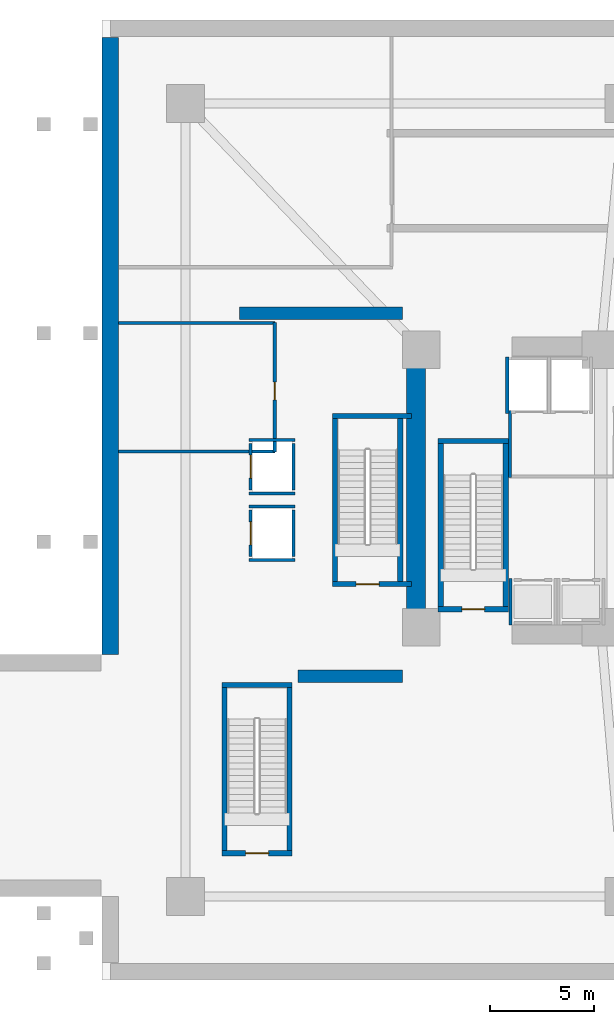
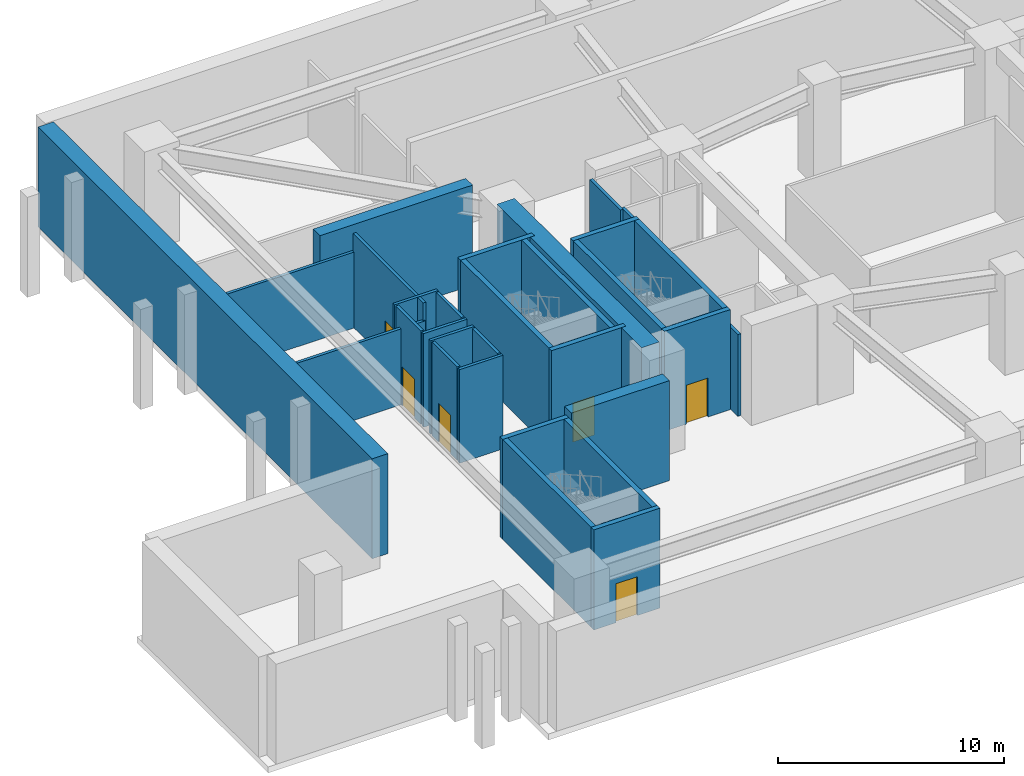
# One storey, part 2 of 9: 30 walls, 6 doors, 6 openings.
"""IFC4 building model written with IfcOpenShell, lengths in metres."""

from ifc_helpers import new_model, si_unit, direction, frame, frame_2d, origin, place, context, subcontext, project, spatial, rectangle, extrude, material, layer, layer_set, type_object, element, fill, save


model = new_model("IFC4")

# Units and contexts
model_context = context("Model", 3, precision=1e-05, world=origin(), true_north=direction((0.0, 1.0)))
body_context = subcontext(model_context, "Body", "Model", "MODEL_VIEW")
ifc_project = project(units=[si_unit("LENGTHUNIT", "METRE"), si_unit("AREAUNIT", "SQUARE_METRE"), si_unit("VOLUMEUNIT", "CUBIC_METRE"), si_unit("PLANEANGLEUNIT", "RADIAN"), si_unit("MASSUNIT", "GRAM", prefix="KILO")], contexts=[model_context])

# Site, building, storey
site_placement = place(None, origin())
site = spatial("IfcSite", under=ifc_project, at=site_placement, CompositionType="ELEMENT")
building_placement = place(site_placement, origin())
building = spatial("IfcBuilding", under=site, at=building_placement, Name="Solvane Sanctuary Tower", CompositionType="ELEMENT")
storey_placement = place(building_placement, frame((0.0, 0.0, -5.39990234375)))
storey = spatial("IfcBuildingStorey", under=building, at=storey_placement, Name="B01", CompositionType="ELEMENT", Elevation=-5.39990234375)

# Walls
ifc_material_1 = material(Name="Concrete C70/85", Category="concrete")
ifc_layer_1 = layer(ifc_material_1, 0.89990234375, Name="Concrete C70/85")
ifc_layer_set_1 = layer_set([ifc_layer_1], Name="Concrete C70/85")
wall_type_1 = type_object("IfcWallType", Name="Wall W-CORE-900", PredefinedType="SHEAR", material=ifc_layer_set_1)
wall_1_placement = place(storey_placement, frame((15.050048828125, 17.050048828125, 0.0), z_axis=(0.0, 0.0, 1.0), x_axis=(0.0, 1.0, 0.0)))
element("IfcWall", 1, at=wall_1_placement, inside=storey, type_object=wall_type_1, Name="B01 Core Shear Wall WC-W", PredefinedType="SHEAR", context=body_context, shape_type="SweptSolid", body=[
    extrude(rectangle(XDim=12.800048828125, YDim=0.89990234375, at=frame_2d((6.39990234375, 0.0))), origin(), (0.0, 0.0, 1.0), 5.39990234375),
])
ifc_material_2 = material(Name="Acoustic Gypsum Partition Board")
ifc_layer_2 = layer(ifc_material_2, 0.14990234375, Name="Acoustic Gypsum Partition Board")
ifc_layer_set_2 = layer_set([ifc_layer_2], Name="Acoustic Gypsum Partition Board")
wall_type_2 = type_object("IfcWallType", Name="Wall W-CORR-150", PredefinedType="PARTITIONING", material=ifc_layer_set_2)
wall_2_placement = place(storey_placement, frame((19.550048828125, 24.080078125, 0.0), z_axis=(0.0, 0.0, 1.0), x_axis=(0.0, 1.0, 0.0)))
element("IfcWall", 2, at=wall_2_placement, inside=storey, type_object=wall_type_2, Name="B01 West Firefighting Lobby West Wall", PredefinedType="PARTITIONING", context=body_context, shape_type="SweptSolid", body=[
    extrude(rectangle(XDim=3.199951171875, YDim=0.14990234375, at=frame_2d((1.60009765625, 0.0))), origin(), (0.0, 0.0, 1.0), 5.054931640625),
])

# Wall, opening, door
wall_3_placement = place(storey_placement, frame((8.280029296875, 25.300048828125, 0.0), z_axis=(0.0, 0.0, 1.0), x_axis=(0.0, 1.0, 0.0)))
wall_3 = element("IfcWall", 3, at=wall_3_placement, inside=storey, type_object=wall_type_2, Name="B01 Refuse Store East Wall", PredefinedType="PARTITIONING", context=body_context, shape_type="SweptSolid", body=[
    extrude(rectangle(XDim=6.199951171875, YDim=0.14990234375, at=frame_2d((3.10009765625, 0.0))), origin(), (0.0, 0.0, 1.0), 5.054931640625),
])
opening_1_placement = place(wall_3_placement, frame((2.5, 0.0, 0.0)))
opening_1 = element("IfcOpeningElement", 4, at=opening_1_placement, cuts=wall_3, Name="Opening D-B01-09", PredefinedType="OPENING", context=body_context, shape_type="SweptSolid", body=[
    extrude(rectangle(XDim=0.85009765625, YDim=2.050048828125, at=frame_2d((0.425048828125, 1.02490234375))), frame((0.0, 0.0849609375, 0.0), z_axis=(0.0, -1.0, 0.0), x_axis=(1.0, 0.0, 0.0)), (0.0, 0.0, 1.0), 0.169921875),
])
ifc_material_3 = material(Name="Architectural Stainless Steel 316", Category="steel")
door_type_1 = type_object("IfcDoorType", Name="Door D-RISER", OperationType="NOTDEFINED", PredefinedType="DOOR", material=ifc_material_3)
door_1_placement = place(opening_1_placement, origin())
door_1 = element("IfcDoor", 5, at=door_1_placement, inside=storey, type_object=door_type_1, Name="B01 Refuse Store Door", OperationType="SINGLE_SWING_LEFT", OverallHeight=2.050048828125, OverallWidth=0.85009765625, PredefinedType="DOOR", context=body_context, shape_type="SweptSolid", body=[
    extrude(rectangle(XDim=0.85009765625, YDim=2.050048828125, at=frame_2d((0.425048828125, 1.02490234375))), frame((0.0, 0.02490234375, 0.0), z_axis=(0.0, -1.0, 0.0), x_axis=(1.0, 0.0, 0.0)), (0.0, 0.0, 1.0), 0.050048828125),
])
fill(opening_1, door_1)

# Walls
for number, where, z_axis, x_axis, name in (
    (6, (0.780029296875, 25.320068359375, 0.0), (0.0, 0.0, 1.0), (1.0, 0.0, 0.0), "B01 Refuse Store South Wall"),
    (7, (0.780029296875, 31.47998046875, 0.0), (0.0, 0.0, 1.0), (1.0, 0.0, 0.0), "B01 Refuse Store North Wall"),
):
    element("IfcWall", number, at=place(storey_placement, frame(where, z_axis=z_axis, x_axis=x_axis)), inside=storey, type_object=wall_type_2, Name=name, PredefinedType="PARTITIONING", context=body_context, shape_type="SweptSolid", body=[
        extrude(rectangle(XDim=7.52001953125, YDim=0.14990234375, at=frame_2d((3.760009765625, 0.0))), origin(), (0.0, 0.0, 1.0), 4.099853515625),
    ])
ifc_material_4 = material(Name="Concrete C60/75", Category="concrete")
ifc_layer_3 = layer(ifc_material_4, 0.60009765625, Name="Concrete C60/75")
ifc_layer_set_3 = layer_set([ifc_layer_3], Name="Concrete C60/75")
wall_type_3 = type_object("IfcWallType", Name="Wall W-METRO-600", PredefinedType="SOLIDWALL", material=ifc_layer_set_3)
wall_4_placement = place(storey_placement, frame((9.39990234375, 14.550048828125, 0.0), z_axis=(0.0, 0.0, 1.0), x_axis=(1.0, 0.0, 0.0)))
element("IfcWall", 8, at=wall_4_placement, inside=storey, type_object=wall_type_3, Name="B01 Metro Station Box Wall MS1", PredefinedType="SOLIDWALL", context=body_context, shape_type="SweptSolid", body=[
    extrude(rectangle(XDim=5.0, YDim=0.60009765625, at=frame_2d((2.5, 0.0))), origin(), (0.0, 0.0, 1.0), 5.39990234375),
])
wall_5_placement = place(storey_placement, frame((6.60009765625, 31.949951171875, 0.0), z_axis=(0.0, 0.0, 1.0), x_axis=(1.0, 0.0, 0.0)))
element("IfcWall", 9, at=wall_5_placement, inside=storey, type_object=wall_type_3, Name="B01 Metro Station Box Wall MN1", PredefinedType="SOLIDWALL", context=body_context, shape_type="SweptSolid", body=[
    extrude(rectangle(XDim=7.7998046875, YDim=0.60009765625, at=frame_2d((3.89990234375, 0.0))), origin(), (0.0, 0.0, 1.0), 5.39990234375),
])
ifc_layer_4 = layer(ifc_material_4, 0.800048828125, Name="Concrete C60/75")
ifc_layer_set_4 = layer_set([ifc_layer_4], Name="Concrete C60/75")
wall_type_4 = type_object("IfcWallType", Name="Wall W-RET-800", PredefinedType="USERDEFINED", material=ifc_layer_set_4)
wall_6_placement = place(storey_placement, frame((0.39990234375, 45.14990234375, 0.0), z_axis=(0.0, 0.0, 1.0), x_axis=(0.0, -1.0, 0.0)))
element("IfcWall", 10, at=wall_6_placement, inside=storey, type_object=wall_type_4, Name="B01 Perimeter Retaining Wall WN2", ObjectType="RETAININGWALL", PredefinedType="USERDEFINED", context=body_context, shape_type="SweptSolid", body=[
    extrude(rectangle(XDim=29.5498046875, YDim=0.800048828125, at=frame_2d((14.77490234375, 0.0))), origin(), (0.0, 0.0, 1.0), 5.39990234375),
])
ifc_material_5 = material(Name="Concrete C50/60", Category="concrete")
ifc_layer_5 = layer(ifc_material_5, 0.14990234375, Name="Concrete C50/60")
ifc_layer_set_5 = layer_set([ifc_layer_5], Name="Concrete C50/60")
wall_type_5 = type_object("IfcWallType", Name="Wall W-SHAFT-150", PredefinedType="SOLIDWALL", material=ifc_layer_set_5)
wall_7_placement = place(storey_placement, frame((19.570068359375, 17.02001953125, 0.0), z_axis=(0.0, 0.0, 1.0), x_axis=(0.0, 1.0, 0.0)))
element("IfcWall", 11, at=wall_7_placement, inside=storey, type_object=wall_type_5, Name="B01 PL-1 Lift Shaft Wall S1", PredefinedType="SOLIDWALL", context=body_context, shape_type="SweptSolid", body=[
    extrude(rectangle(XDim=2.219970703125, YDim=0.14990234375, at=frame_2d((1.10986328125, 0.0))), origin(), (0.0, 0.0, 1.0), 4.419921875),
])
wall_8_placement = place(storey_placement, frame((19.419921875, 27.139892578125, 0.0), z_axis=(0.0, 0.0, 1.0), x_axis=(0.0, 1.0, 0.0)))
element("IfcWall", 12, at=wall_8_placement, inside=storey, type_object=wall_type_5, Name="B01 FFL-1 Lift Shaft Wall S1", PredefinedType="SOLIDWALL", context=body_context, shape_type="SweptSolid", body=[
    extrude(rectangle(XDim=2.72021484375, YDim=0.14990234375, at=frame_2d((1.360107421875, 0.0))), origin(), (0.0, 0.0, 1.0), 5.054931640625),
])

# Wall, opening, door
wall_9_placement = place(storey_placement, frame((7.1201171875, 20.2900390625, 0.0), z_axis=(0.0, 0.0, 1.0), x_axis=(0.0, 1.0, 0.0)))
wall_9 = element("IfcWall", 13, at=wall_9_placement, inside=storey, type_object=wall_type_5, Name="B01 ML-1 Lift Shaft Wall F", PredefinedType="SOLIDWALL", context=body_context, shape_type="SweptSolid", body=[
    extrude(rectangle(XDim=2.219970703125, YDim=0.14990234375, at=frame_2d((1.10986328125, 0.0))), origin(), (0.0, 0.0, 1.0), 5.054931640625),
])
opening_2_placement = place(wall_9_placement, frame((0.56005859375, 0.0, 0.0)))
opening_2 = element("IfcOpeningElement", 14, at=opening_2_placement, cuts=wall_9, Name="Opening LD-B01-08", PredefinedType="OPENING", context=body_context, shape_type="SweptSolid", body=[
    extrude(rectangle(XDim=1.10009765625, YDim=2.10009765625, at=frame_2d((0.550048828125, 1.050048828125))), frame((0.0, 0.0849609375, 0.0), z_axis=(0.0, -1.0, 0.0), x_axis=(1.0, 0.0, 0.0)), (0.0, 0.0, 1.0), 0.169921875),
])
door_type_2 = type_object("IfcDoorType", Name="Door LD-PASS-1100", OperationType="NOTDEFINED", PredefinedType="DOOR", material=ifc_material_3)
door_2_placement = place(opening_2_placement, origin())
door_2 = element("IfcDoor", 15, at=door_2_placement, inside=storey, type_object=door_type_2, Name="B01 ML-1 Lift Landing Door", OperationType="DOUBLE_DOOR_SLIDING", OverallHeight=2.10009765625, OverallWidth=1.10009765625, PredefinedType="DOOR", context=body_context, shape_type="SweptSolid", body=[
    extrude(rectangle(XDim=1.10009765625, YDim=2.10009765625, at=frame_2d((0.550048828125, 1.050048828125))), frame((0.0, 0.02490234375, 0.0), z_axis=(0.0, -1.0, 0.0), x_axis=(1.0, 0.0, 0.0)), (0.0, 0.0, 1.0), 0.050048828125),
])
fill(opening_2, door_2)

# Walls
for number, where, z_axis, x_axis, name in (
    (16, (9.179931640625, 20.2900390625, 0.0), (0.0, 0.0, 1.0), (0.0, 1.0, 0.0), "B01 ML-1 Lift Shaft Wall B"),
    (17, (7.0400390625, 20.1201171875, 0.0), (0.0, 0.0, 1.0), (1.0, 0.0, 0.0), "B01 ML-1 Lift Shaft Wall S1"),
    (18, (7.0400390625, 22.679931640625, 0.0), (0.0, 0.0, 1.0), (1.0, 0.0, 0.0), "B01 ML-1 Lift Shaft Wall S2"),
):
    element("IfcWall", number, at=place(storey_placement, frame(where, z_axis=z_axis, x_axis=x_axis)), inside=storey, type_object=wall_type_5, Name=name, PredefinedType="SOLIDWALL", context=body_context, shape_type="SweptSolid", body=[
        extrude(rectangle(XDim=2.219970703125, YDim=0.14990234375, at=frame_2d((1.10986328125, 0.0))), origin(), (0.0, 0.0, 1.0), 5.054931640625),
    ])

# Wall, opening, door
wall_10_placement = place(storey_placement, frame((7.1201171875, 23.489990234375, 0.0), z_axis=(0.0, 0.0, 1.0), x_axis=(0.0, 1.0, 0.0)))
wall_10 = element("IfcWall", 19, at=wall_10_placement, inside=storey, type_object=wall_type_5, Name="B01 ML-2 Lift Shaft Wall F", PredefinedType="SOLIDWALL", context=body_context, shape_type="SweptSolid", body=[
    extrude(rectangle(XDim=2.219970703125, YDim=0.14990234375, at=frame_2d((1.10986328125, 0.0))), origin(), (0.0, 0.0, 1.0), 5.054931640625),
])
opening_3_placement = place(wall_10_placement, frame((0.56005859375, 0.0, 0.0)))
opening_3 = element("IfcOpeningElement", 20, at=opening_3_placement, cuts=wall_10, Name="Opening LD-B01-09", PredefinedType="OPENING", context=body_context, shape_type="SweptSolid", body=[
    extrude(rectangle(XDim=1.10009765625, YDim=2.10009765625, at=frame_2d((0.550048828125, 1.050048828125))), frame((0.0, 0.0849609375, 0.0), z_axis=(0.0, -1.0, 0.0), x_axis=(1.0, 0.0, 0.0)), (0.0, 0.0, 1.0), 0.169921875),
])
door_3_placement = place(opening_3_placement, origin())
door_3 = element("IfcDoor", 21, at=door_3_placement, inside=storey, type_object=door_type_2, Name="B01 ML-2 Lift Landing Door", OperationType="DOUBLE_DOOR_SLIDING", OverallHeight=2.10009765625, OverallWidth=1.10009765625, PredefinedType="DOOR", context=body_context, shape_type="SweptSolid", body=[
    extrude(rectangle(XDim=1.10009765625, YDim=2.10009765625, at=frame_2d((0.550048828125, 1.050048828125))), frame((0.0, 0.02490234375, 0.0), z_axis=(0.0, -1.0, 0.0), x_axis=(1.0, 0.0, 0.0)), (0.0, 0.0, 1.0), 0.050048828125),
])
fill(opening_3, door_3)

# Walls
for number, where, z_axis, x_axis, name in (
    (22, (9.179931640625, 23.489990234375, 0.0), (0.0, 0.0, 1.0), (0.0, 1.0, 0.0), "B01 ML-2 Lift Shaft Wall B"),
    (23, (7.0400390625, 23.320068359375, 0.0), (0.0, 0.0, 1.0), (1.0, 0.0, 0.0), "B01 ML-2 Lift Shaft Wall S1"),
    (24, (7.0400390625, 25.8798828125, 0.0), (0.0, 0.0, 1.0), (1.0, 0.0, 0.0), "B01 ML-2 Lift Shaft Wall S2"),
):
    element("IfcWall", number, at=place(storey_placement, frame(where, z_axis=z_axis, x_axis=x_axis)), inside=storey, type_object=wall_type_5, Name=name, PredefinedType="SOLIDWALL", context=body_context, shape_type="SweptSolid", body=[
        extrude(rectangle(XDim=2.219970703125, YDim=0.14990234375, at=frame_2d((1.10986328125, 0.0))), origin(), (0.0, 0.0, 1.0), 5.054931640625),
    ])

# Wall, opening, door
ifc_layer_6 = layer(ifc_material_5, 0.25, Name="Concrete C50/60")
ifc_layer_set_6 = layer_set([ifc_layer_6], Name="Concrete C50/60")
wall_type_6 = type_object("IfcWallType", Name="Wall W-SHAFT-250", PredefinedType="SOLIDWALL", material=ifc_layer_set_6)
wall_11_placement = place(storey_placement, frame((16.10498046875, 17.77001953125, 0.0), z_axis=(0.0, 0.0, 1.0), x_axis=(1.0, 0.0, 0.0)))
wall_11 = element("IfcWall", 25, at=wall_11_placement, inside=storey, type_object=wall_type_6, Name="B01 ST-1 Load-Bearing Shaft Wall S", PredefinedType="SOLIDWALL", context=body_context, shape_type="SweptSolid", body=[
    extrude(rectangle(XDim=3.3701171875, YDim=0.25, at=frame_2d((1.68505859375, 0.0))), origin(), (0.0, 0.0, 1.0), 5.39990234375),
])
opening_4_placement = place(wall_11_placement, frame((1.135009765625, 0.0, 0.0)))
opening_4 = element("IfcOpeningElement", 26, at=opening_4_placement, cuts=wall_11, Name="Opening D-B01-01", PredefinedType="OPENING", context=body_context, shape_type="SweptSolid", body=[
    extrude(rectangle(XDim=1.10009765625, YDim=2.10009765625, at=frame_2d((0.550048828125, 1.050048828125))), frame((0.0, 0.135009765625, 0.0), z_axis=(0.0, -1.0, 0.0), x_axis=(1.0, 0.0, 0.0)), (0.0, 0.0, 1.0), 0.27001953125),
])
door_type_3 = type_object("IfcDoorType", Name="Door D-STAIR", OperationType="NOTDEFINED", PredefinedType="DOOR", material=ifc_material_3)
door_4_placement = place(opening_4_placement, origin())
door_4 = element("IfcDoor", 27, at=door_4_placement, inside=storey, type_object=door_type_3, Name="B01 ST-1 Exit Stair Fire Door", OperationType="SINGLE_SWING_RIGHT", OverallHeight=2.10009765625, OverallWidth=1.10009765625, PredefinedType="DOOR", context=body_context, shape_type="SweptSolid", body=[
    extrude(rectangle(XDim=1.10009765625, YDim=2.10009765625, at=frame_2d((0.550048828125, 1.050048828125))), frame((0.0, 0.02490234375, 0.0), z_axis=(0.0, -1.0, 0.0), x_axis=(1.0, 0.0, 0.0)), (0.0, 0.0, 1.0), 0.050048828125),
])
fill(opening_4, door_4)

# Walls
wall_12_placement = place(storey_placement, frame((16.10498046875, 25.830078125, 0.0), z_axis=(0.0, 0.0, 1.0), x_axis=(1.0, 0.0, 0.0)))
element("IfcWall", 28, at=wall_12_placement, inside=storey, type_object=wall_type_6, Name="B01 ST-1 Load-Bearing Shaft Wall N", PredefinedType="SOLIDWALL", context=body_context, shape_type="SweptSolid", body=[
    extrude(rectangle(XDim=3.3701171875, YDim=0.25, at=frame_2d((1.68505859375, 0.0))), origin(), (0.0, 0.0, 1.0), 5.39990234375),
])
for number, where, z_axis, x_axis, name in (
    (29, (16.22998046875, 17.89501953125, 0.0), (0.0, 0.0, 1.0), (0.0, 1.0, 0.0), "B01 ST-1 Load-Bearing Shaft Wall W"),
    (30, (19.35009765625, 17.89501953125, 0.0), (0.0, 0.0, 1.0), (0.0, 1.0, 0.0), "B01 ST-1 Load-Bearing Shaft Wall E"),
):
    element("IfcWall", number, at=place(storey_placement, frame(where, z_axis=z_axis, x_axis=x_axis)), inside=storey, type_object=wall_type_6, Name=name, PredefinedType="SOLIDWALL", context=body_context, shape_type="SweptSolid", body=[
        extrude(rectangle(XDim=7.81005859375, YDim=0.25, at=frame_2d((3.905029296875, 0.0))), origin(), (0.0, 0.0, 1.0), 5.39990234375),
    ])

# Wall, opening, door
wall_13_placement = place(storey_placement, frame((11.044921875, 18.969970703125, 0.0), z_axis=(0.0, 0.0, 1.0), x_axis=(1.0, 0.0, 0.0)))
wall_13 = element("IfcWall", 31, at=wall_13_placement, inside=storey, type_object=wall_type_6, Name="B01 ST-3 Load-Bearing Shaft Wall S", PredefinedType="SOLIDWALL", context=body_context, shape_type="SweptSolid", body=[
    extrude(rectangle(XDim=3.781982421875, YDim=0.25, at=frame_2d((1.89111328125, 0.0))), origin(), (0.0, 0.0, 1.0), 5.39990234375),
])
opening_5_placement = place(wall_13_placement, frame((1.135009765625, 0.0, 0.0)))
opening_5 = element("IfcOpeningElement", 32, at=opening_5_placement, cuts=wall_13, Name="Opening D-B01-03", PredefinedType="OPENING", context=body_context, shape_type="SweptSolid", body=[
    extrude(rectangle(XDim=1.10009765625, YDim=2.10009765625, at=frame_2d((0.550048828125, 1.050048828125))), frame((0.0, 0.135009765625, 0.0), z_axis=(0.0, -1.0, 0.0), x_axis=(1.0, 0.0, 0.0)), (0.0, 0.0, 1.0), 0.27001953125),
])
door_5_placement = place(opening_5_placement, origin())
door_5 = element("IfcDoor", 33, at=door_5_placement, inside=storey, type_object=door_type_3, Name="B01 ST-3 Exit Stair Fire Door", OperationType="SINGLE_SWING_RIGHT", OverallHeight=2.10009765625, OverallWidth=1.10009765625, PredefinedType="DOOR", context=body_context, shape_type="SweptSolid", body=[
    extrude(rectangle(XDim=1.10009765625, YDim=2.10009765625, at=frame_2d((0.550048828125, 1.050048828125))), frame((0.0, 0.02490234375, 0.0), z_axis=(0.0, -1.0, 0.0), x_axis=(1.0, 0.0, 0.0)), (0.0, 0.0, 1.0), 0.050048828125),
])
fill(opening_5, door_5)

# Walls
wall_14_placement = place(storey_placement, frame((11.044921875, 27.030029296875, 0.0), z_axis=(0.0, 0.0, 1.0), x_axis=(1.0, 0.0, 0.0)))
element("IfcWall", 34, at=wall_14_placement, inside=storey, type_object=wall_type_6, Name="B01 ST-3 Load-Bearing Shaft Wall N", PredefinedType="SOLIDWALL", context=body_context, shape_type="SweptSolid", body=[
    extrude(rectangle(XDim=3.781982421875, YDim=0.25, at=frame_2d((1.89111328125, 0.0))), origin(), (0.0, 0.0, 1.0), 5.39990234375),
])
for number, where, z_axis, x_axis, name in (
    (35, (11.169921875, 19.094970703125, 0.0), (0.0, 0.0, 1.0), (0.0, 1.0, 0.0), "B01 ST-3 Load-Bearing Shaft Wall W"),
    (36, (14.2900390625, 19.094970703125, 0.0), (0.0, 0.0, 1.0), (0.0, 1.0, 0.0), "B01 ST-3 Load-Bearing Shaft Wall E"),
):
    element("IfcWall", number, at=place(storey_placement, frame(where, z_axis=z_axis, x_axis=x_axis)), inside=storey, type_object=wall_type_6, Name=name, PredefinedType="SOLIDWALL", context=body_context, shape_type="SweptSolid", body=[
        extrude(rectangle(XDim=7.81005859375, YDim=0.25, at=frame_2d((3.905029296875, 0.0))), origin(), (0.0, 0.0, 1.0), 5.39990234375),
    ])

# Wall, opening, door
wall_15_placement = place(storey_placement, frame((5.7451171875, 6.070068359375, 0.0), z_axis=(0.0, 0.0, 1.0), x_axis=(1.0, 0.0, 0.0)))
wall_15 = element("IfcWall", 37, at=wall_15_placement, inside=storey, type_object=wall_type_6, Name="B01 ST-4 Load-Bearing Shaft Wall S", PredefinedType="SOLIDWALL", context=body_context, shape_type="SweptSolid", body=[
    extrude(rectangle(XDim=3.369873046875, YDim=0.25, at=frame_2d((1.68505859375, 0.0))), origin(), (0.0, 0.0, 1.0), 5.39990234375),
])
opening_6_placement = place(wall_15_placement, frame((1.135009765625, 0.0, 0.0)))
opening_6 = element("IfcOpeningElement", 38, at=opening_6_placement, cuts=wall_15, Name="Opening D-B01-04", PredefinedType="OPENING", context=body_context, shape_type="SweptSolid", body=[
    extrude(rectangle(XDim=1.10009765625, YDim=2.10009765625, at=frame_2d((0.550048828125, 1.050048828125))), frame((0.0, 0.135009765625, 0.0), z_axis=(0.0, -1.0, 0.0), x_axis=(1.0, 0.0, 0.0)), (0.0, 0.0, 1.0), 0.27001953125),
])
door_6_placement = place(opening_6_placement, origin())
door_6 = element("IfcDoor", 39, at=door_6_placement, inside=storey, type_object=door_type_3, Name="B01 ST-4 Exit Stair Fire Door", OperationType="SINGLE_SWING_LEFT", OverallHeight=2.10009765625, OverallWidth=1.10009765625, PredefinedType="DOOR", context=body_context, shape_type="SweptSolid", body=[
    extrude(rectangle(XDim=1.10009765625, YDim=2.10009765625, at=frame_2d((0.550048828125, 1.050048828125))), frame((0.0, 0.02490234375, 0.0), z_axis=(0.0, -1.0, 0.0), x_axis=(1.0, 0.0, 0.0)), (0.0, 0.0, 1.0), 0.050048828125),
])
fill(opening_6, door_6)

# Walls
wall_16_placement = place(storey_placement, frame((5.7451171875, 14.1298828125, 0.0), z_axis=(0.0, 0.0, 1.0), x_axis=(1.0, 0.0, 0.0)))
element("IfcWall", 40, at=wall_16_placement, inside=storey, type_object=wall_type_6, Name="B01 ST-4 Load-Bearing Shaft Wall N", PredefinedType="SOLIDWALL", context=body_context, shape_type="SweptSolid", body=[
    extrude(rectangle(XDim=3.369873046875, YDim=0.25, at=frame_2d((1.68505859375, 0.0))), origin(), (0.0, 0.0, 1.0), 5.39990234375),
])
for number, where, z_axis, x_axis, name in (
    (41, (5.8701171875, 6.195068359375, 0.0), (0.0, 0.0, 1.0), (0.0, 1.0, 0.0), "B01 ST-4 Load-Bearing Shaft Wall W"),
    (42, (8.989990234375, 6.195068359375, 0.0), (0.0, 0.0, 1.0), (0.0, 1.0, 0.0), "B01 ST-4 Load-Bearing Shaft Wall E"),
):
    element("IfcWall", number, at=place(storey_placement, frame(where, z_axis=z_axis, x_axis=x_axis)), inside=storey, type_object=wall_type_6, Name=name, PredefinedType="SOLIDWALL", context=body_context, shape_type="SweptSolid", body=[
        extrude(rectangle(XDim=7.809814453125, YDim=0.25, at=frame_2d((3.90478515625, 0.0))), origin(), (0.0, 0.0, 1.0), 5.39990234375),
    ])

save(model, "model.ifc")
